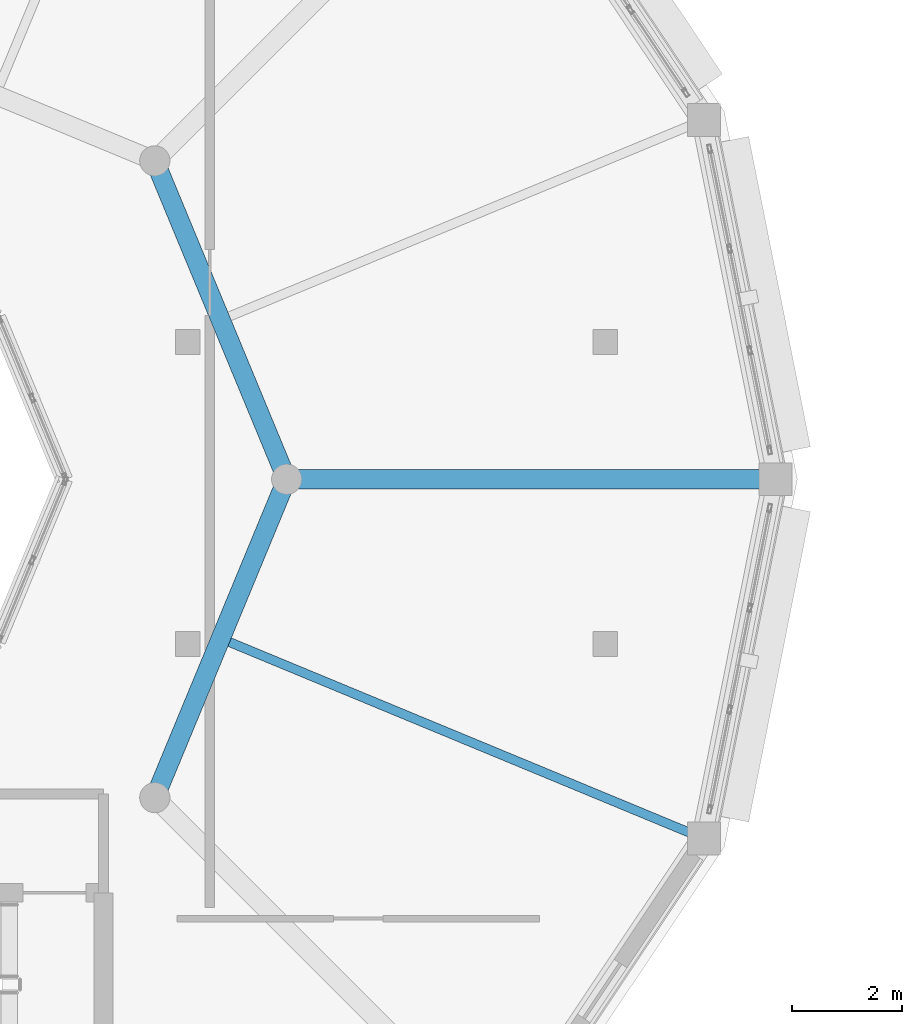
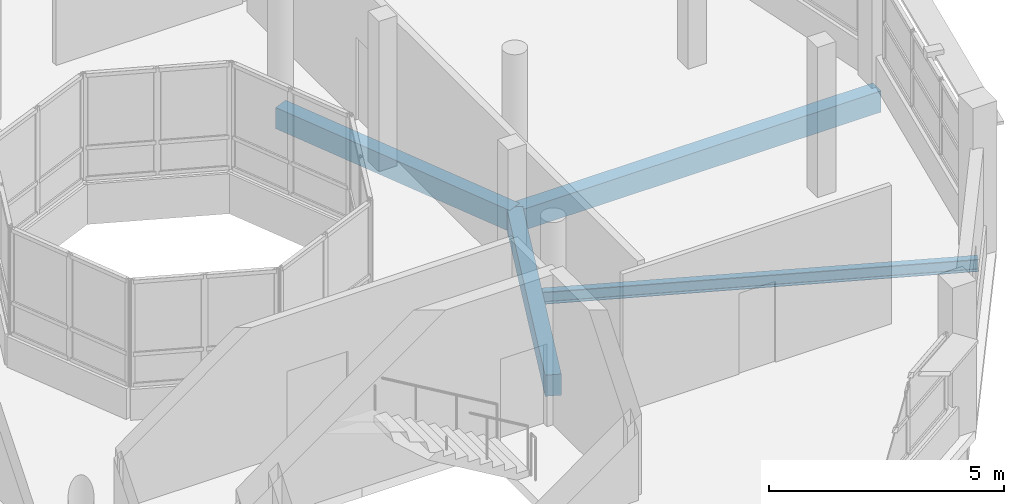
# One storey, part 73 of 121: 4 beams.
"""IFC4 building model written with IfcOpenShell, lengths in metres."""

from ifc_helpers import new_model, si_unit, direction, frame, origin, origin_2d, place, context, subcontext, project, spatial, rectangle, i_section, extrude, material, material_profile, profile_set, type_object, element, save


model = new_model("IFC4")

# Units and contexts
model_context = context("Model", 3, precision=1e-05, world=origin(), true_north=direction((0.0, 1.0)))
body_context = subcontext(model_context, "Body", "Model", "MODEL_VIEW")
ifc_project = project(units=[si_unit("LENGTHUNIT", "METRE"), si_unit("AREAUNIT", "SQUARE_METRE"), si_unit("VOLUMEUNIT", "CUBIC_METRE"), si_unit("PLANEANGLEUNIT", "RADIAN"), si_unit("MASSUNIT", "GRAM", prefix="KILO")], contexts=[model_context])

# Site, building, storey
site_placement = place(None, origin())
site = spatial("IfcSite", under=ifc_project, at=site_placement, CompositionType="ELEMENT")
building_placement = place(site_placement, origin())
building = spatial("IfcBuilding", under=site, at=building_placement, Name="Vespera Passage Community Centre", CompositionType="ELEMENT")
storey_placement = place(building_placement, frame((0.0, 0.0, 8.699951171875)))
storey = spatial("IfcBuildingStorey", under=building, at=storey_placement, Name="L02", CompositionType="ELEMENT", Elevation=8.699951171875)

# Beams
ifc_material_1 = material(Name="Concrete f'c 35 MPa", Category="concrete")
ifc_material_profile_1 = material_profile(ifc_material_1, rectangle(XDim=0.35009765625, YDim=0.550048828125, at=origin_2d()), Name="RC350X550")
ifc_profile_set_1 = profile_set([ifc_material_profile_1], Name="Concrete f'c 35 MPa")
beam_type_1 = type_object("IfcBeamType", Name="BM-J-350X550", PredefinedType="JOIST", material=ifc_profile_set_1)
beam_1_placement = place(storey_placement, frame((149.199951171875, 25.0, -0.514892578125), z_axis=(-0.382664436252, 0.92388740073, 0.0), x_axis=(-0.92388740073, -0.382664436252, 0.0)))
element("IfcBeam", 1, at=beam_1_placement, inside=storey, type_object=beam_type_1, Name="V3 L02 Inner Ring Beam 1", PredefinedType="JOIST", context=body_context, shape_type="SweptSolid", body=[
    extrude(rectangle(XDim=0.35009765625, YDim=0.550048828125, at=origin_2d()), origin(), (0.0, 0.0, 1.0), 6.276123046875),
])
beam_2_placement = place(storey_placement, frame((149.199951171875, 25.0, -0.514892578125), z_axis=(1.0, 0.0, 0.0), x_axis=(0.0, 1.0, 0.0)))
element("IfcBeam", 2, at=beam_2_placement, inside=storey, type_object=beam_type_1, Name="V3 L02 Radial Girder 1", PredefinedType="JOIST", context=body_context, shape_type="SweptSolid", body=[
    extrude(rectangle(XDim=0.35009765625, YDim=0.550048828125, at=origin_2d()), origin(), (0.0, 0.0, 1.0), 8.900146484375),
])
beam_3_placement = place(storey_placement, frame((146.79833984375, 19.20166015625, -0.514892578125), z_axis=(0.382664436252, 0.92388740073, 0.0), x_axis=(-0.92388740073, 0.382664436252, 0.0)))
element("IfcBeam", 3, at=beam_3_placement, inside=storey, type_object=beam_type_1, Name="V3 L02 Inner Ring Beam 8", PredefinedType="JOIST", context=body_context, shape_type="SweptSolid", body=[
    extrude(rectangle(XDim=0.35009765625, YDim=0.550048828125, at=origin_2d()), origin(), (0.0, 0.0, 1.0), 6.276123046875),
])
ifc_material_2 = material(Name="Steel ASTM A992 Grade 50", Category="steel")
ifc_material_profile_2 = material_profile(ifc_material_2, i_section(OverallWidth=0.16650390625, OverallDepth=0.3173828125, WebThickness=0.007568359375, FlangeThickness=0.01318359375, FilletRadius=0.007568359375, at=origin_2d()), Name="W12X35")
ifc_profile_set_2 = profile_set([ifc_material_profile_2], Name="Steel ASTM A992 Grade 50")
beam_type_2 = type_object("IfcBeamType", Name="BM-J-W12X35", PredefinedType="JOIST", material=ifc_profile_set_2)
beam_4_placement = place(storey_placement, frame((147.9990234375, 22.100830078125, -0.398681640625), z_axis=(0.923880304795, -0.382681567901, 0.0), x_axis=(0.382681567901, 0.923880304795, 0.0)))
element("IfcBeam", 4, at=beam_4_placement, inside=storey, type_object=beam_type_2, Name="V3 L02 Secondary Joist 8", PredefinedType="JOIST", context=body_context, shape_type="SweptSolid", body=[
    extrude(i_section(OverallWidth=0.16650390625, OverallDepth=0.3173828125, WebThickness=0.007568359375, FlangeThickness=0.01318359375, FilletRadius=0.007568359375, at=origin_2d()), origin(), (0.0, 0.0, 1.0), 9.5244140625),
])

save(model, "model.ifc")
